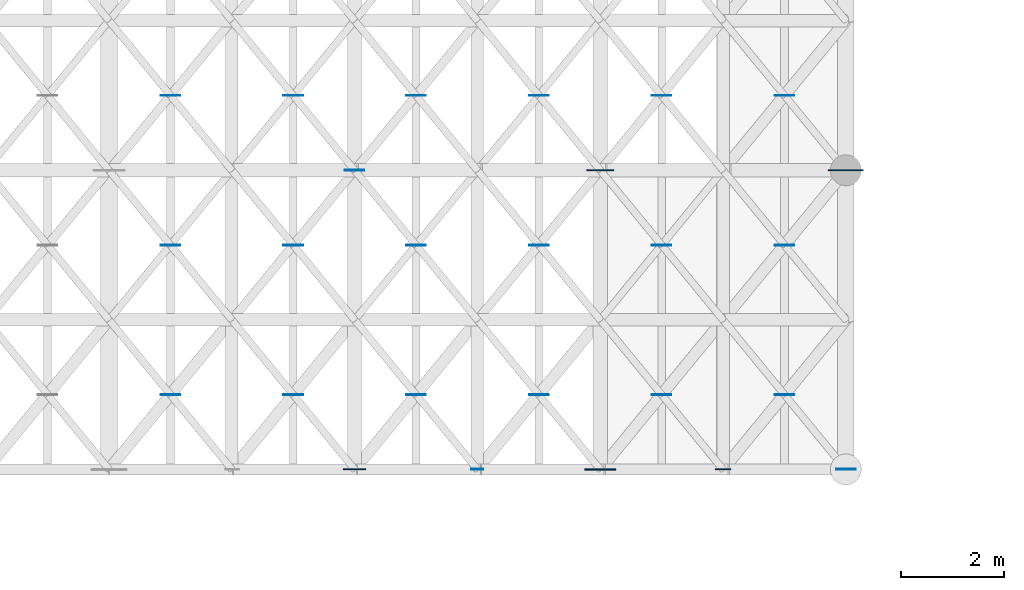
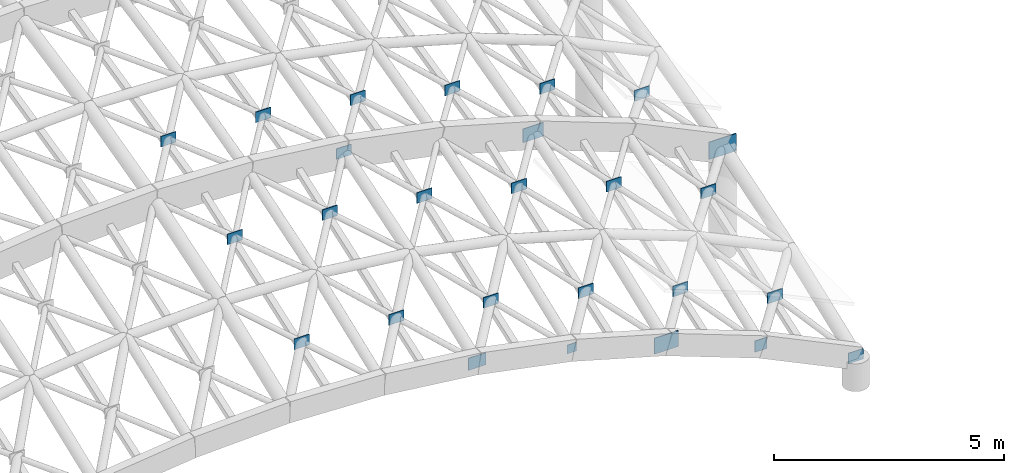
# One storey, part 124 of 146: 26 plates.
"""IFC4 building model written with IfcOpenShell, lengths in metres."""

import ifcopenshell
import ifcopenshell.guid

model = None  # the IFC model being written
_history = None  # IfcOwnerHistory: only IFC2X3 demands one
_inside = {}  # id of a spatial element -> (the spatial element, [elements in it])
_under = {}  # id of a project, library or spatial element -> (it, [spatial elements below it])
_declared = {}  # id of a project -> (the project, [libraries it declares])
_typed = {}  # id of a type object -> (the type object, [elements of that type])
_made_of = {}  # id of a material, layer set ... -> (it, [elements and type objects made of it])


def new_model(schema):
    """Start an empty IFC model of exactly this schema.

    Asked for "IFC4X3", IfcOpenShell would pick the latest addendum, in which some entities
    have other attributes; the version numbers below select the first issue.
    IFC2X3 requires an IfcOwnerHistory on every rooted entity: one is made here for all.
    """
    global model, _history
    if schema == "IFC4X3":
        model = ifcopenshell.file(schema_version=(4, 3, 0, 0))
    else:
        model = ifcopenshell.file(schema=schema)
    _inside.clear()
    _under.clear()
    _declared.clear()
    _typed.clear()
    _made_of.clear()
    _history = None
    if model.schema == "IFC2X3":
        org = make("IfcOrganization", Name="unknown")
        user = make(
            "IfcPersonAndOrganization",
            ThePerson=make("IfcPerson", FamilyName="unknown"),
            TheOrganization=org,
        )
        app = make(
            "IfcApplication",
            ApplicationDeveloper=org,
            Version="unknown",
            ApplicationFullName="unknown",
            ApplicationIdentifier="unknown",
        )
        _history = make(
            "IfcOwnerHistory",
            OwningUser=user,
            OwningApplication=app,
            ChangeAction="ADDED",
            CreationDate=0,
        )
    return model


def make(cls, **values):
    """One entity of the class cls with the attributes given. An attribute that is None is left unset."""
    return model.create_entity(
        cls, **{name: value for name, value in values.items() if value is not None}
    )


def rooted(cls, **values):
    """An entity with a GlobalId (a new one), such as an element, a storey or a relation."""
    return make(cls, GlobalId=ifcopenshell.guid.new(), OwnerHistory=_history, **values)


def si_unit(unit_type, name, prefix=None):
    """IfcSIUnit, for example si_unit("LENGTHUNIT", "METRE", prefix="MILLI")."""
    return make("IfcSIUnit", UnitType=unit_type, Prefix=prefix, Name=name)


def assignment(units):
    """IfcUnitAssignment: the units of a project."""
    return None if units is None else make("IfcUnitAssignment", Units=units)


def point(xyz):
    """IfcCartesianPoint."""
    return None if xyz is None else make("IfcCartesianPoint", Coordinates=xyz)


def direction(xyz):
    """IfcDirection."""
    return None if xyz is None else make("IfcDirection", DirectionRatios=xyz)


def frame(location, z_axis=None, x_axis=None):
    """IfcAxis2Placement3D, a coordinate frame: its origin and axes. An axis left out is left unset."""
    return make(
        "IfcAxis2Placement3D",
        Location=point(location),
        Axis=direction(z_axis),
        RefDirection=direction(x_axis),
    )


def frame_2d(location, x_axis=None):
    """IfcAxis2Placement2D, a coordinate frame in the plane: its origin and x axis."""
    return make(
        "IfcAxis2Placement2D", Location=point(location), RefDirection=direction(x_axis)
    )


def origin():
    """The frame at (0, 0, 0) with its axes left unset."""
    return frame((0.0, 0.0, 0.0))


def origin_2d():
    """The frame at (0, 0) in the plane with its x axis left unset."""
    return frame_2d((0.0, 0.0))


def place(relative_to, where):
    """IfcLocalPlacement: puts the frame where relative to a parent placement (None: the world)."""
    return make(
        "IfcLocalPlacement", PlacementRelTo=relative_to, RelativePlacement=where
    )


def context(
    kind, dimensions, precision=None, world=None, true_north=None, identifier=None
):
    """IfcGeometricRepresentationContext, for example the 3D "Model" context."""
    return make(
        "IfcGeometricRepresentationContext",
        ContextIdentifier=identifier,
        ContextType=kind,
        CoordinateSpaceDimension=dimensions,
        Precision=precision,
        WorldCoordinateSystem=world,
        TrueNorth=true_north,
    )


def subcontext(parent, identifier, kind, view, scale=None):
    """IfcGeometricRepresentationSubContext, for example "Body" below "Model"."""
    return make(
        "IfcGeometricRepresentationSubContext",
        ContextIdentifier=identifier,
        ContextType=kind,
        ParentContext=parent,
        TargetScale=scale,
        TargetView=view,
    )


def project(units=None, contexts=None):
    """IfcProject with its units and contexts."""
    return rooted(
        "IfcProject",
        Name="project",
        RepresentationContexts=contexts,
        UnitsInContext=assignment(units),
    )


def spatial(cls, under=None, at=None, **own):
    """A site, building, storey or space (cls), placed at a placement, below another one or the project."""
    s = rooted(cls, ObjectPlacement=at, **own)
    if under is not None:
        _under.setdefault(under.id(), (under, []))[1].append(s)
    return s


def profile(cls, at=None, kind="AREA", **sizes):
    """A parametric profile (cls). Its sizes go by their IFC names, for example OverallWidth=200.0."""
    return make(cls, ProfileType=kind, Position=at, **sizes)


def rectangle(**sizes):
    """IfcRectangleProfileDef."""
    return profile("IfcRectangleProfileDef", **sizes)


def extrude(swept, where, along, depth):
    """IfcExtrudedAreaSolid: the profile swept, set in the frame where, extruded along a direction by depth."""
    return make(
        "IfcExtrudedAreaSolid",
        SweptArea=swept,
        Position=where,
        ExtrudedDirection=direction(along),
        Depth=depth,
    )


def shape(context_of_items, identifier, shape_type, items):
    """IfcShapeRepresentation: the items that make up one representation, for example the "Body"."""
    return make(
        "IfcShapeRepresentation",
        ContextOfItems=context_of_items,
        RepresentationIdentifier=identifier,
        RepresentationType=shape_type,
        Items=items,
    )


def material(Name=None, Category=None):
    """IfcMaterial."""
    return make("IfcMaterial", Name=Name, Category=Category)


def layer(
    of_material, thickness, ventilated=None, Name=None, Category=None, Priority=None
):
    """IfcMaterialLayer: one layer of a wall or slab, of a material (None: an air gap)."""
    return make(
        "IfcMaterialLayer",
        Material=of_material,
        LayerThickness=thickness,
        IsVentilated=ventilated,
        Name=Name,
        Category=Category,
        Priority=Priority,
    )


def layer_set(layers, Name=None):
    """IfcMaterialLayerSet."""
    return make("IfcMaterialLayerSet", MaterialLayers=layers, LayerSetName=Name)


def made_of(thing, what):
    """Note that an element or type object is made of a material, layer set ...; save() writes the relation."""
    if what is not None:
        _made_of.setdefault(what.id(), (what, []))[1].append(thing)
    return thing


def type_object(cls, material=None, **own):
    """A type object (cls), such as IfcWallType, which elements share."""
    return made_of(rooted(cls, **own), material)


def element(
    cls,
    number,
    at=None,
    inside=None,
    cuts=None,
    type_object=None,
    material=None,
    context=None,
    identifier="Body",
    shape_type=None,
    held_by="IfcProductDefinitionShape",
    body=None,
    shapes=None,
    **own,
):
    """One element of the class cls, such as IfcWall. Its Tag is "e" and its number.

    at: its placement. inside: the storey or other place that contains it. cuts: it is an
    opening in that element (IfcRelVoidsElement). A single representation is given by context,
    identifier, shape_type and body (its items); several are given by shapes. held_by: the class
    of the entity that holds the representations. save() writes the other relations.
    """
    e = rooted(cls, Tag="e%d" % number, ObjectPlacement=at, **own)
    if body is not None:
        shapes = [shape(context, identifier, shape_type, body)]
    if shapes is not None:
        e.Representation = make(held_by, Representations=shapes)
    if inside is not None:
        _inside.setdefault(inside.id(), (inside, []))[1].append(e)
    if cuts is not None:
        rooted(
            "IfcRelVoidsElement", RelatingBuildingElement=cuts, RelatedOpeningElement=e
        )
    if type_object is not None:
        _typed.setdefault(type_object.id(), (type_object, []))[1].append(e)
    return made_of(e, material)


def aggregate(whole, parts):
    """IfcRelAggregates: a whole, such as a stair, and the parts it consists of."""
    return rooted("IfcRelAggregates", RelatingObject=whole, RelatedObjects=parts)


def save(model, path):
    """Write the relations noted so far, then the file.

    IfcRelAggregates (storeys below a building ...), IfcRelContainedInSpatialStructure (elements
    in a storey), IfcRelDefinesByType, IfcRelAssociatesMaterial and IfcRelDeclares: one each for
    every whole, place, type object, material and project.
    """
    for whole, parts in _under.values():
        aggregate(whole, parts)
    for where, things in _inside.values():
        rooted(
            "IfcRelContainedInSpatialStructure",
            RelatedElements=things,
            RelatingStructure=where,
        )
    for kind, things in _typed.values():
        rooted("IfcRelDefinesByType", RelatedObjects=things, RelatingType=kind)
    for what, things in _made_of.values():
        rooted("IfcRelAssociatesMaterial", RelatedObjects=things, RelatingMaterial=what)
    for by, libraries in _declared.values():
        rooted("IfcRelDeclares", RelatingContext=by, RelatedDefinitions=libraries)
    model.write(path)


model = new_model("IFC4")

# Units and contexts
model_context = context("Model", 3, precision=1e-05, world=origin(), true_north=direction((0.0, 1.0)))
body_context = subcontext(model_context, "Body", "Model", "MODEL_VIEW")
ifc_project = project(units=[si_unit("LENGTHUNIT", "METRE"), si_unit("AREAUNIT", "SQUARE_METRE"), si_unit("VOLUMEUNIT", "CUBIC_METRE"), si_unit("PLANEANGLEUNIT", "RADIAN"), si_unit("MASSUNIT", "GRAM", prefix="KILO")], contexts=[model_context])

# Site, building, storey
site_placement = place(None, origin())
site = spatial("IfcSite", under=ifc_project, at=site_placement, CompositionType="ELEMENT")
building_placement = place(site_placement, origin())
building = spatial("IfcBuilding", under=site, at=building_placement, Name="Valcora Specialist Clinic", CompositionType="ELEMENT")
storey_placement = place(building_placement, frame((0.0, 0.0, 9.52001953125)))
storey = spatial("IfcBuildingStorey", under=building, at=storey_placement, Name="L02", CompositionType="ELEMENT", Elevation=9.52001953125)

# Plates
ifc_material = material(Name="Steel ASTM A572 Grade 50", Category="steel")
ifc_layer_1 = layer(ifc_material, 0.01806640625)
ifc_layer_set_1 = layer_set([ifc_layer_1], Name="Steel ASTM A572 Grade 50")
plate_type_1 = type_object("IfcPlateType", Name="TY-PL-EC200", PredefinedType="USERDEFINED", material=ifc_layer_set_1)
plate_1_placement = place(storey_placement, frame((22.125, 38.75, 3.330810546875), z_axis=(0.0, 0.0, 1.0), x_axis=(1.0, 0.0, 0.0)))
element("IfcPlate", 1, at=plate_1_placement, inside=storey, type_object=plate_type_1, Name="Gridshell chord end-cap 5", ObjectType="FLANGE_PLATE", PredefinedType="USERDEFINED", context=body_context, shape_type="SweptSolid", body=[
    extrude(rectangle(XDim=0.22998046875, YDim=0.01806640625, at=origin_2d()), origin(), (0.0, 0.0, 1.0), 0.22998046875),
])
ifc_layer_2 = layer(ifc_material, 0.02001953125)
ifc_layer_set_2 = layer_set([ifc_layer_2], Name="Steel ASTM A572 Grade 50")
plate_type_2 = type_object("IfcPlateType", Name="TY-PL-EC273", PredefinedType="USERDEFINED", material=ifc_layer_set_2)
plate_2_placement = place(storey_placement, frame((26.875, 38.75, 1.72265625), z_axis=(0.0, 0.0, 1.0), x_axis=(1.0, 0.0, 0.0)))
element("IfcPlate", 2, at=plate_2_placement, inside=storey, type_object=plate_type_2, Name="Gridshell chord end-cap 6", ObjectType="FLANGE_PLATE", PredefinedType="USERDEFINED", context=body_context, shape_type="SweptSolid", body=[
    extrude(rectangle(XDim=0.300048828125, YDim=0.02001953125, at=origin_2d()), origin(), (0.0, 0.0, 1.0), 0.300048828125),
])
ifc_layer_3 = layer(ifc_material, 0.02587890625)
ifc_layer_set_3 = layer_set([ifc_layer_3], Name="Steel ASTM A572 Grade 50")
plate_type_3 = type_object("IfcPlateType", Name="TY-PL-GS1", PredefinedType="USERDEFINED", material=ifc_layer_set_3)
plate_3_placement = place(storey_placement, frame((29.25, 44.535888671875, 2.56005859375), z_axis=(0.0, 0.0, 1.0), x_axis=(1.0, 0.0, 0.0)))
element("IfcPlate", 3, at=plate_3_placement, inside=storey, type_object=plate_type_3, Name="Gridshell node gusset plate PL-GSN-050", ObjectType="GUSSET_PLATE", PredefinedType="USERDEFINED", context=body_context, shape_type="SweptSolid", body=[
    extrude(rectangle(XDim=0.679931640625, YDim=0.02587890625, at=origin_2d()), origin(), (0.0, 0.0, 1.0), 0.4599609375),
])
ifc_layer_4 = layer(ifc_material, 0.02392578125)
ifc_layer_set_4 = layer_set([ifc_layer_4], Name="Steel ASTM A572 Grade 50")
plate_type_4 = type_object("IfcPlateType", Name="TY-PL-GS2", PredefinedType="USERDEFINED", material=ifc_layer_set_4)
plate_4_placement = place(storey_placement, frame((24.5, 38.75, 2.55810546875), z_axis=(0.0, 0.0, 1.0), x_axis=(1.0, 0.0, 0.0)))
element("IfcPlate", 4, at=plate_4_placement, inside=storey, type_object=plate_type_4, Name="Gridshell node gusset plate PL-GSN-041", ObjectType="GUSSET_PLATE", PredefinedType="USERDEFINED", context=body_context, shape_type="SweptSolid", body=[
    extrude(rectangle(XDim=0.60009765625, YDim=0.02392578125, at=origin_2d()), origin(), (0.0, 0.0, 1.0), 0.419921875),
])
ifc_layer_5 = layer(ifc_material, 0.02197265625)
ifc_layer_set_5 = layer_set([ifc_layer_5], Name="Steel ASTM A572 Grade 50")
plate_type_5 = type_object("IfcPlateType", Name="TY-PL-GS3", PredefinedType="USERDEFINED", material=ifc_layer_set_5)
plate_5_placement = place(storey_placement, frame((24.5, 44.535888671875, 4.64111328125), z_axis=(0.0, 0.0, 1.0), x_axis=(1.0, 0.0, 0.0)))
element("IfcPlate", 5, at=plate_5_placement, inside=storey, type_object=plate_type_5, Name="Gridshell node gusset plate PL-GSN-042", ObjectType="GUSSET_PLATE", PredefinedType="USERDEFINED", context=body_context, shape_type="SweptSolid", body=[
    extrude(rectangle(XDim=0.52001953125, YDim=0.02197265625, at=origin_2d()), origin(), (0.0, 0.0, 1.0), 0.360107421875),
])
ifc_layer_6 = layer(ifc_material, 0.02001953125)
ifc_layer_set_6 = layer_set([ifc_layer_6], Name="Steel ASTM A572 Grade 50")
plate_type_6 = type_object("IfcPlateType", Name="TY-PL-GS4", PredefinedType="USERDEFINED", material=ifc_layer_set_6)
plate_6_placement = place(storey_placement, frame((19.75, 38.75, 3.7607421875), z_axis=(0.0, 0.0, 1.0), x_axis=(1.0, 0.0, 0.0)))
element("IfcPlate", 6, at=plate_6_placement, inside=storey, type_object=plate_type_6, Name="Gridshell node gusset plate PL-GSN-033", ObjectType="GUSSET_PLATE", PredefinedType="USERDEFINED", context=body_context, shape_type="SweptSolid", body=[
    extrude(rectangle(XDim=0.43994140625, YDim=0.02001953125, at=origin_2d()), origin(), (0.0, 0.0, 1.0), 0.320068359375),
])
ifc_layer_7 = layer(ifc_material, 0.01806640625)
ifc_layer_set_7 = layer_set([ifc_layer_7], Name="Steel ASTM A572 Grade 50")
plate_type_7 = type_object("IfcPlateType", Name="TY-PL-GS5", PredefinedType="USERDEFINED", material=ifc_layer_set_7)
for number, where, z_axis, x_axis, name in (
    (7, (19.75, 44.535888671875, 5.83349609375), (0.0, 0.0, 1.0), (1.0, 0.0, 0.0), "Gridshell node gusset plate PL-GSN-034"),
    (8, (29.25, 38.75, 0.59716796875), (0.0, 0.0, 1.0), (1.0, 0.0, 0.0), "Gridshell node gusset plate PL-GSN-049"),
    (9, (16.1875, 40.196533203125, 4.669921875), (0.0, 0.0, 1.0), (1.0, 0.0, 0.0), "Gridshell X-brace crossing gusset 6-0"),
    (10, (16.1875, 43.089599609375, 5.6962890625), (0.0, 0.0, 1.0), (1.0, 0.0, 0.0), "Gridshell X-brace crossing gusset 6-1"),
    (11, (16.1875, 45.982421875, 6.53564453125), (0.0, 0.0, 1.0), (1.0, 0.0, 0.0), "Gridshell X-brace crossing gusset 6-2"),
    (12, (18.5625, 40.196533203125, 4.482421875), (0.0, 0.0, 1.0), (1.0, 0.0, 0.0), "Gridshell X-brace crossing gusset 7-0"),
    (13, (18.5625, 43.089599609375, 5.5087890625), (0.0, 0.0, 1.0), (1.0, 0.0, 0.0), "Gridshell X-brace crossing gusset 7-1"),
    (14, (18.5625, 45.982421875, 6.34814453125), (0.0, 0.0, 1.0), (1.0, 0.0, 0.0), "Gridshell X-brace crossing gusset 7-2"),
    (15, (20.9375, 40.196533203125, 4.1044921875), (0.0, 0.0, 1.0), (1.0, 0.0, 0.0), "Gridshell X-brace crossing gusset 8-0"),
    (16, (20.9375, 43.089599609375, 5.130859375), (0.0, 0.0, 1.0), (1.0, 0.0, 0.0), "Gridshell X-brace crossing gusset 8-1"),
    (17, (20.9375, 45.982421875, 5.97021484375), (0.0, 0.0, 1.0), (1.0, 0.0, 0.0), "Gridshell X-brace crossing gusset 8-2"),
    (18, (23.3125, 40.196533203125, 3.5283203125), (0.0, 0.0, 1.0), (1.0, 0.0, 0.0), "Gridshell X-brace crossing gusset 9-0"),
    (19, (23.3125, 43.089599609375, 4.5546875), (0.0, 0.0, 1.0), (1.0, 0.0, 0.0), "Gridshell X-brace crossing gusset 9-1"),
    (20, (23.3125, 45.982421875, 5.39404296875), (0.0, 0.0, 1.0), (1.0, 0.0, 0.0), "Gridshell X-brace crossing gusset 9-2"),
    (21, (25.6875, 40.196533203125, 2.74169921875), (0.0, 0.0, 1.0), (1.0, 0.0, 0.0), "Gridshell X-brace crossing gusset 10-0"),
    (22, (25.6875, 43.089599609375, 3.76806640625), (0.0, 0.0, 1.0), (1.0, 0.0, 0.0), "Gridshell X-brace crossing gusset 10-1"),
    (23, (25.6875, 45.982421875, 4.607421875), (0.0, 0.0, 1.0), (1.0, 0.0, 0.0), "Gridshell X-brace crossing gusset 10-2"),
    (24, (28.0625, 40.196533203125, 1.72607421875), (0.0, 0.0, 1.0), (1.0, 0.0, 0.0), "Gridshell X-brace crossing gusset 11-0"),
    (25, (28.0625, 43.089599609375, 2.75244140625), (0.0, 0.0, 1.0), (1.0, 0.0, 0.0), "Gridshell X-brace crossing gusset 11-1"),
    (26, (28.0625, 45.982421875, 3.591796875), (0.0, 0.0, 1.0), (1.0, 0.0, 0.0), "Gridshell X-brace crossing gusset 11-2"),
):
    element("IfcPlate", number, at=place(storey_placement, frame(where, z_axis=z_axis, x_axis=x_axis)), inside=storey, type_object=plate_type_7, Name=name, ObjectType="GUSSET_PLATE", PredefinedType="USERDEFINED", context=body_context, shape_type="SweptSolid", body=[
        extrude(rectangle(XDim=0.3798828125, YDim=0.01806640625, at=origin_2d()), origin(), (0.0, 0.0, 1.0), 0.280029296875),
    ])

save(model, "model.ifc")
